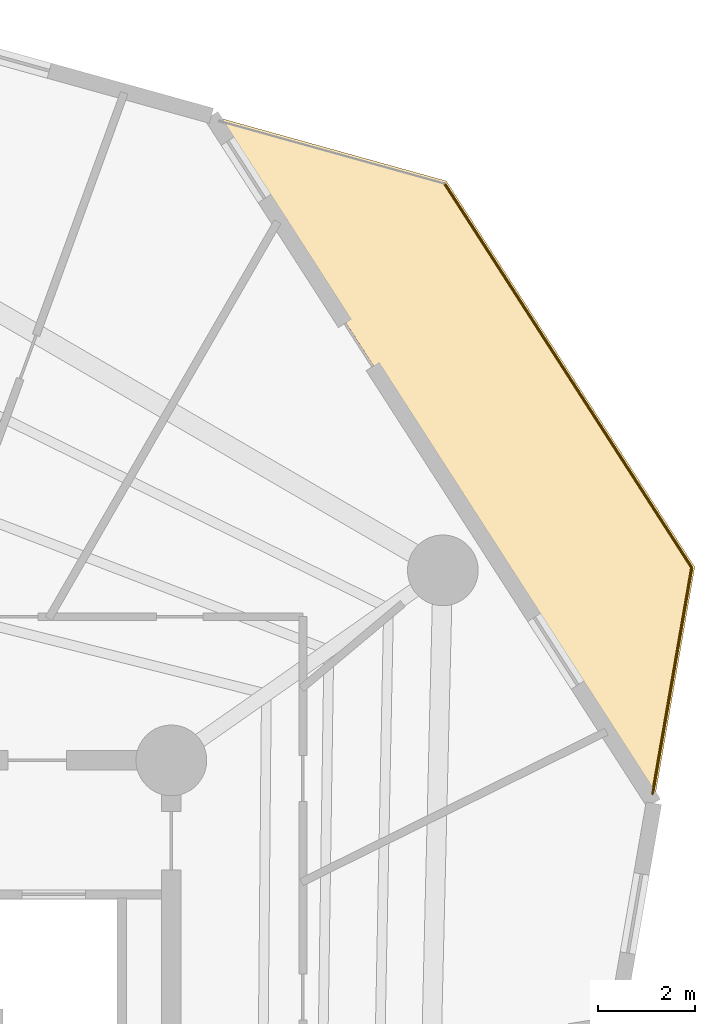
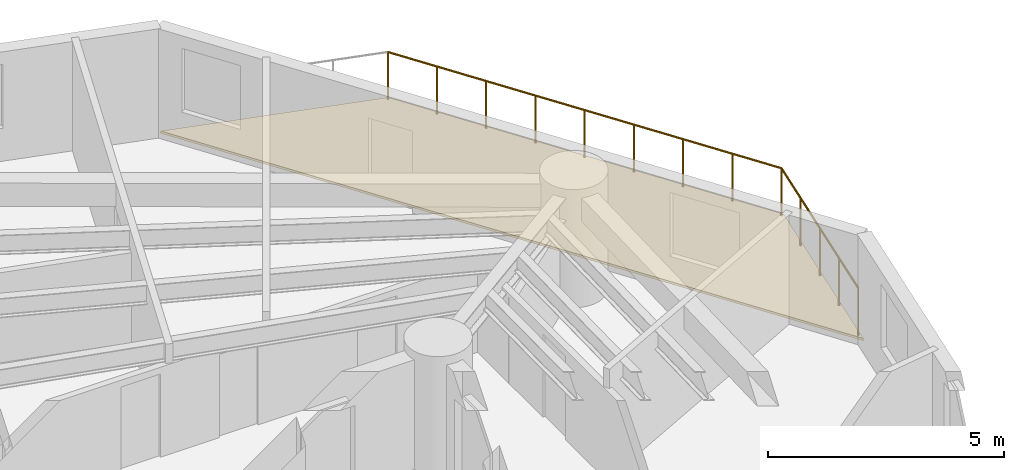
# One storey, part 8 of 8: 2 railings, 1 covering.
"""IFC4 building model written with IfcOpenShell, lengths in metres."""

from ifc_helpers import new_model, si_unit, direction, frame, origin, origin_2d, place, context, subcontext, project, spatial, polyline, circle, outline, extrude, material, layer, layer_set, type_object, element, save


model = new_model("IFC4")

# Units and contexts
model_context = context("Model", 3, precision=1e-05, world=origin(), true_north=direction((0.0, 1.0)))
body_context = subcontext(model_context, "Body", "Model", "MODEL_VIEW")
ifc_project = project(units=[si_unit("LENGTHUNIT", "METRE"), si_unit("AREAUNIT", "SQUARE_METRE"), si_unit("VOLUMEUNIT", "CUBIC_METRE"), si_unit("PLANEANGLEUNIT", "RADIAN"), si_unit("MASSUNIT", "GRAM", prefix="KILO")], contexts=[model_context])

# Site, building, storey
site_placement = place(None, origin())
site = spatial("IfcSite", under=ifc_project, at=site_placement, CompositionType="ELEMENT")
building_placement = place(site_placement, origin())
building = spatial("IfcBuilding", under=site, at=building_placement, Name="Karkom Vertical University and Central Library", CompositionType="ELEMENT")
storey_placement = place(building_placement, frame((0.0, 0.0, 132.800048828125)))
storey = spatial("IfcBuildingStorey", under=building, at=storey_placement, Name="L37", CompositionType="ELEMENT", Elevation=132.800048828125)

# Covering
ifc_material_1 = material(Name="EPDM membrane with Kota stone ballast roofing", Category="masonry")
ifc_layer_1 = layer(ifc_material_1, 0.080078125)
ifc_layer_set_1 = layer_set([ifc_layer_1], Name="EPDM membrane with Kota stone ballast roofing")
covering_type = type_object("IfcCoveringType", Name="ENV-COV-ROOF", PredefinedType="ROOFING", material=ifc_layer_set_1)
covering_placement = place(storey_placement, origin())
element("IfcCovering", 1, at=covering_placement, inside=storey, type_object=covering_type, Name="Level 37 Spiral Sky Garden Waterproofing Covering", PredefinedType="ROOFING", context=body_context, shape_type="SweptSolid", body=[
    extrude(outline(polyline([(43.142822265625, 46.58837890625), (48.23974609375, 38.668701171875), (47.40478515625, 33.849853515625), (38.35009765625, 47.919677734375), (43.142822265625, 46.58837890625)])), origin(), (0.0, 0.0, 1.0), 0.06005859375),
])

# Railings
ifc_material_2 = material(Name="Architectural painted steel & laminated glass balustrade", Category="steel")
ifc_layer_2 = layer(ifc_material_2, 0.090087890625)
ifc_layer_set_2 = layer_set([ifc_layer_2], Name="Architectural painted steel & laminated glass balustrade")
railing_type = type_object("IfcRailingType", Name="ENV-RL-BAL1300", PredefinedType="BALUSTRADE", material=ifc_layer_set_2)
railing_1_placement = place(storey_placement, frame((43.104736328125, 46.536865234375, 0.0)))
element("IfcRailing", 2, at=railing_1_placement, inside=storey, type_object=railing_type, Name="Level 37 Planted Terrace Safety Balustrade 01", PredefinedType="BALUSTRADE", context=body_context, shape_type="SweptSolid", body=[
    extrude(circle(Radius=0.02392578125, at=origin_2d()), frame((0.0, 0.0, 1.27587890625), z_axis=(0.541161726353, -0.840918537036, 0.0), x_axis=(0.840918537036, 0.541161726353, 0.0)), (0.0, 0.0, 1.0), 9.3720703125),
    extrude(circle(Radius=0.02099609375, at=origin_2d()), origin(), (0.0, 0.0, 1.0), 1.251953125),
    extrude(circle(Radius=0.02099609375, at=origin_2d()), frame((0.634033203125, -0.985107421875, 0.0)), (0.0, 0.0, 1.0), 1.251953125),
    extrude(circle(Radius=0.02099609375, at=origin_2d()), frame((1.26806640625, -1.97021484375, 0.0)), (0.0, 0.0, 1.0), 1.251953125),
    extrude(circle(Radius=0.02099609375, at=origin_2d()), frame((1.90185546875, -2.955322265625, 0.0)), (0.0, 0.0, 1.0), 1.251953125),
    extrude(circle(Radius=0.02099609375, at=origin_2d()), frame((2.535888671875, -3.9404296875, 0.0)), (0.0, 0.0, 1.0), 1.251953125),
    extrude(circle(Radius=0.02099609375, at=origin_2d()), frame((3.169921875, -4.92578125, 0.0)), (0.0, 0.0, 1.0), 1.251953125),
    extrude(circle(Radius=0.02099609375, at=origin_2d()), frame((3.8037109375, -5.910888671875, 0.0)), (0.0, 0.0, 1.0), 1.251953125),
    extrude(circle(Radius=0.02099609375, at=origin_2d()), frame((4.437744140625, -6.89599609375, 0.0)), (0.0, 0.0, 1.0), 1.251953125),
    extrude(circle(Radius=0.02099609375, at=origin_2d()), frame((5.07177734375, -7.881103515625, 0.0)), (0.0, 0.0, 1.0), 1.251953125),
])
railing_2_placement = place(storey_placement, frame((48.176513671875, 38.65576171875, 0.0)))
element("IfcRailing", 3, at=railing_2_placement, inside=storey, type_object=railing_type, Name="Level 37 Planted Terrace Safety Balustrade 02", PredefinedType="BALUSTRADE", context=body_context, shape_type="SweptSolid", body=[
    extrude(circle(Radius=0.02392578125, at=origin_2d()), frame((0.0, 0.0, 1.27587890625), z_axis=(-0.170729059681, -0.98531801373, 0.0), x_axis=(0.98531801373, -0.170729059681, 0.0)), (0.0, 0.0, 1.0), 4.713134765625),
    extrude(circle(Radius=0.02099609375, at=origin_2d()), origin(), (0.0, 0.0, 1.0), 1.251953125),
    extrude(circle(Radius=0.02099609375, at=origin_2d()), frame((-0.201171875, -1.1611328125, 0.0)), (0.0, 0.0, 1.0), 1.251953125),
    extrude(circle(Radius=0.02099609375, at=origin_2d()), frame((-0.40234375, -2.322021484375, 0.0)), (0.0, 0.0, 1.0), 1.251953125),
    extrude(circle(Radius=0.02099609375, at=origin_2d()), frame((-0.603515625, -3.48291015625, 0.0)), (0.0, 0.0, 1.0), 1.251953125),
    extrude(circle(Radius=0.02099609375, at=origin_2d()), frame((-0.8046875, -4.64404296875, 0.0)), (0.0, 0.0, 1.0), 1.251953125),
])

save(model, "model.ifc")
